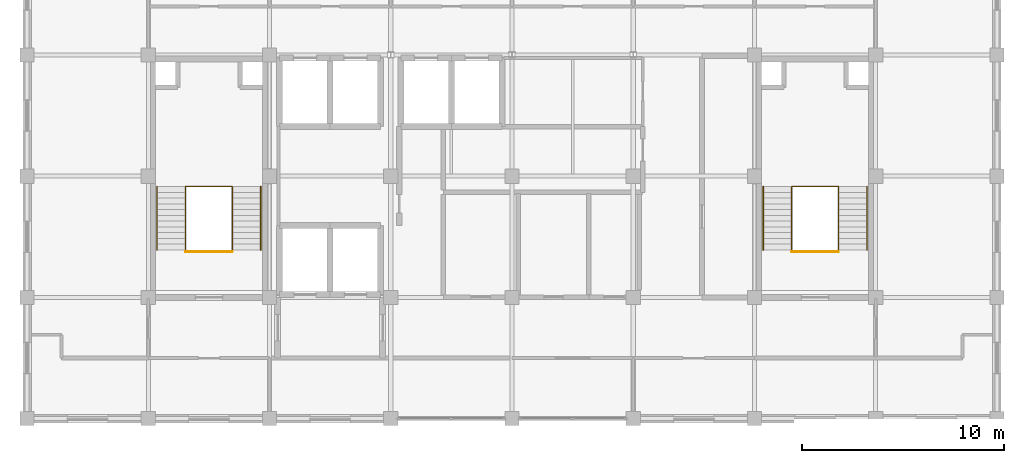
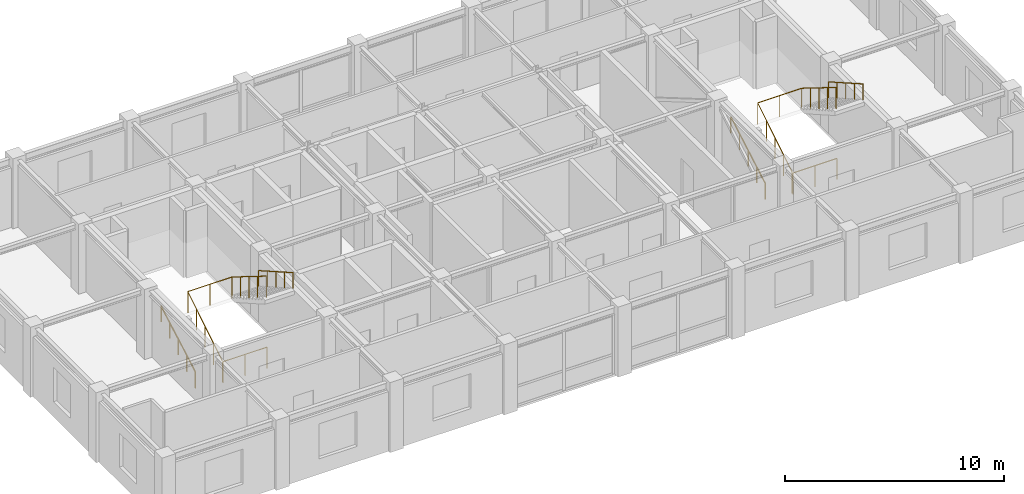
# One storey, part 11 of 11: 8 railings.
"""IFC4 building model written with IfcOpenShell, lengths in metres."""

from ifc_helpers import new_model, si_unit, direction, frame, origin, origin_2d, place, context, subcontext, project, spatial, circle, extrude, material, type_object, element, save


model = new_model("IFC4")

# Units and contexts
model_context = context("Model", 3, precision=1e-05, world=origin(), true_north=direction((0.0, 1.0)))
body_context = subcontext(model_context, "Body", "Model", "MODEL_VIEW")
ifc_project = project(units=[si_unit("LENGTHUNIT", "METRE"), si_unit("AREAUNIT", "SQUARE_METRE"), si_unit("VOLUMEUNIT", "CUBIC_METRE"), si_unit("PLANEANGLEUNIT", "RADIAN"), si_unit("MASSUNIT", "GRAM", prefix="KILO")], contexts=[model_context])

# Site, building, storey
site_placement = place(None, origin())
site = spatial("IfcSite", under=ifc_project, at=site_placement, CompositionType="ELEMENT")
building_placement = place(site_placement, origin())
building = spatial("IfcBuilding", under=site, at=building_placement, Name="Zlatovratsky Civic Hall", CompositionType="ELEMENT")
storey_placement = place(building_placement, frame((0.0, 0.0, 60.0)))
storey = spatial("IfcBuildingStorey", under=building, at=storey_placement, Name="L15", CompositionType="ELEMENT", Elevation=60.0)

# Railings
ifc_material = material(Name="Brushed stainless steel AISI 304", Category="steel")
railing_type_1 = type_object("IfcRailingType", Name="Railing_Guardrail_1200", PredefinedType="GUARDRAIL", material=ifc_material)
railing_1_placement = place(storey_placement, frame((67.840087890625, 86.35009765625, 0.0)))
element("IfcRailing", 1, at=railing_1_placement, inside=storey, type_object=railing_type_1, Name="RL-0560", PredefinedType="GUARDRAIL", context=body_context, shape_type="SweptSolid", body=[
    extrude(circle(Radius=0.02392578125, at=origin_2d()), frame((0.0, 0.0, 1.17578125), z_axis=(0.0, 0.849144259976, 0.528160984692), x_axis=(-1.0, 0.0, 0.0)), (0.0, 0.0, 1.0), 3.69189453125),
    extrude(circle(Radius=0.02392578125, at=origin_2d()), frame((0.0, 3.135009765625, 3.1259765625), z_axis=(1.0, 0.0, 0.0), x_axis=(0.0, 1.0, 0.0)), (0.0, 0.0, 1.0), 2.31982421875),
    extrude(circle(Radius=0.02392578125, at=origin_2d()), frame((2.31982421875, 3.135009765625, 3.1259765625), z_axis=(0.0, -0.849144259976, 0.528160984692), x_axis=(1.0, 0.0, 0.0)), (0.0, 0.0, 1.0), 3.69189453125),
    extrude(circle(Radius=0.02099609375, at=origin_2d()), origin(), (0.0, 0.0, 1.0), 1.15185546875),
    extrude(circle(Radius=0.02099609375, at=origin_2d()), frame((0.0, 0.78369140625, 0.487548828125)), (0.0, 0.0, 1.0), 1.15185546875),
    extrude(circle(Radius=0.02099609375, at=origin_2d()), frame((0.0, 1.5673828125, 0.97509765625)), (0.0, 0.0, 1.0), 1.15185546875),
    extrude(circle(Radius=0.02099609375, at=origin_2d()), frame((0.0, 2.351318359375, 1.46240234375)), (0.0, 0.0, 1.0), 1.15185546875),
    extrude(circle(Radius=0.02099609375, at=origin_2d()), frame((0.0, 3.135009765625, 1.949951171875)), (0.0, 0.0, 1.0), 1.15185546875),
    extrude(circle(Radius=0.02099609375, at=origin_2d()), frame((1.159912109375, 3.135009765625, 1.949951171875)), (0.0, 0.0, 1.0), 1.15185546875),
    extrude(circle(Radius=0.02099609375, at=origin_2d()), frame((2.31982421875, 3.135009765625, 1.949951171875)), (0.0, 0.0, 1.0), 1.15185546875),
    extrude(circle(Radius=0.02099609375, at=origin_2d()), frame((2.31982421875, 2.351318359375, 2.4375)), (0.0, 0.0, 1.0), 1.15185546875),
    extrude(circle(Radius=0.02099609375, at=origin_2d()), frame((2.31982421875, 1.5673828125, 2.9248046875)), (0.0, 0.0, 1.0), 1.15185546875),
    extrude(circle(Radius=0.02099609375, at=origin_2d()), frame((2.31982421875, 0.78369140625, 3.412353515625)), (0.0, 0.0, 1.0), 1.15185546875),
    extrude(circle(Radius=0.02099609375, at=origin_2d()), frame((2.31982421875, 0.0, 3.89990234375)), (0.0, 0.0, 1.0), 1.15185546875),
])
railing_2_placement = place(storey_placement, frame((67.840087890625, 86.27001953125, 0.0)))
element("IfcRailing", 2, at=railing_2_placement, inside=storey, type_object=railing_type_1, Name="RL-0563", PredefinedType="GUARDRAIL", context=body_context, shape_type="SweptSolid", body=[
    extrude(circle(Radius=0.02392578125, at=origin_2d()), frame((0.0, 0.0, 1.17578125), z_axis=(1.0, 0.0, 0.0), x_axis=(0.0, 1.0, 0.0)), (0.0, 0.0, 1.0), 2.31982421875),
    extrude(circle(Radius=0.02099609375, at=origin_2d()), origin(), (0.0, 0.0, 1.0), 1.15185546875),
    extrude(circle(Radius=0.02099609375, at=origin_2d()), frame((1.159912109375, 0.0, 0.0)), (0.0, 0.0, 1.0), 1.15185546875),
    extrude(circle(Radius=0.02099609375, at=origin_2d()), frame((2.31982421875, 0.0, 0.0)), (0.0, 0.0, 1.0), 1.15185546875),
])
railing_3_placement = place(storey_placement, frame((97.840087890625, 86.35009765625, 0.0)))
element("IfcRailing", 3, at=railing_3_placement, inside=storey, type_object=railing_type_1, Name="RL-0636", PredefinedType="GUARDRAIL", context=body_context, shape_type="SweptSolid", body=[
    extrude(circle(Radius=0.02392578125, at=origin_2d()), frame((0.0, 0.0, 1.17578125), z_axis=(0.0, 0.849144259976, 0.528160984692), x_axis=(-1.0, 0.0, 0.0)), (0.0, 0.0, 1.0), 3.69189453125),
    extrude(circle(Radius=0.02392578125, at=origin_2d()), frame((0.0, 3.135009765625, 3.1259765625), z_axis=(1.0, 0.0, 0.0), x_axis=(0.0, 1.0, 0.0)), (0.0, 0.0, 1.0), 2.31982421875),
    extrude(circle(Radius=0.02392578125, at=origin_2d()), frame((2.31982421875, 3.135009765625, 3.1259765625), z_axis=(0.0, -0.849144259976, 0.528160984692), x_axis=(1.0, 0.0, 0.0)), (0.0, 0.0, 1.0), 3.69189453125),
    extrude(circle(Radius=0.02099609375, at=origin_2d()), origin(), (0.0, 0.0, 1.0), 1.15185546875),
    extrude(circle(Radius=0.02099609375, at=origin_2d()), frame((0.0, 0.78369140625, 0.487548828125)), (0.0, 0.0, 1.0), 1.15185546875),
    extrude(circle(Radius=0.02099609375, at=origin_2d()), frame((0.0, 1.5673828125, 0.97509765625)), (0.0, 0.0, 1.0), 1.15185546875),
    extrude(circle(Radius=0.02099609375, at=origin_2d()), frame((0.0, 2.351318359375, 1.46240234375)), (0.0, 0.0, 1.0), 1.15185546875),
    extrude(circle(Radius=0.02099609375, at=origin_2d()), frame((0.0, 3.135009765625, 1.949951171875)), (0.0, 0.0, 1.0), 1.15185546875),
    extrude(circle(Radius=0.02099609375, at=origin_2d()), frame((1.159912109375, 3.135009765625, 1.949951171875)), (0.0, 0.0, 1.0), 1.15185546875),
    extrude(circle(Radius=0.02099609375, at=origin_2d()), frame((2.31982421875, 3.135009765625, 1.949951171875)), (0.0, 0.0, 1.0), 1.15185546875),
    extrude(circle(Radius=0.02099609375, at=origin_2d()), frame((2.31982421875, 2.351318359375, 2.4375)), (0.0, 0.0, 1.0), 1.15185546875),
    extrude(circle(Radius=0.02099609375, at=origin_2d()), frame((2.31982421875, 1.5673828125, 2.9248046875)), (0.0, 0.0, 1.0), 1.15185546875),
    extrude(circle(Radius=0.02099609375, at=origin_2d()), frame((2.31982421875, 0.78369140625, 3.412353515625)), (0.0, 0.0, 1.0), 1.15185546875),
    extrude(circle(Radius=0.02099609375, at=origin_2d()), frame((2.31982421875, 0.0, 3.89990234375)), (0.0, 0.0, 1.0), 1.15185546875),
])
railing_4_placement = place(storey_placement, frame((97.840087890625, 86.27001953125, 0.0)))
element("IfcRailing", 4, at=railing_4_placement, inside=storey, type_object=railing_type_1, Name="RL-0639", PredefinedType="GUARDRAIL", context=body_context, shape_type="SweptSolid", body=[
    extrude(circle(Radius=0.02392578125, at=origin_2d()), frame((0.0, 0.0, 1.17578125), z_axis=(1.0, 0.0, 0.0), x_axis=(0.0, 1.0, 0.0)), (0.0, 0.0, 1.0), 2.31982421875),
    extrude(circle(Radius=0.02099609375, at=origin_2d()), origin(), (0.0, 0.0, 1.0), 1.15185546875),
    extrude(circle(Radius=0.02099609375, at=origin_2d()), frame((1.159912109375, 0.0, 0.0)), (0.0, 0.0, 1.0), 1.15185546875),
    extrude(circle(Radius=0.02099609375, at=origin_2d()), frame((2.31982421875, 0.0, 0.0)), (0.0, 0.0, 1.0), 1.15185546875),
])
railing_type_2 = type_object("IfcRailingType", Name="Railing_Handrail_900", PredefinedType="HANDRAIL", material=ifc_material)
railing_5_placement = place(storey_placement, frame((66.429931640625, 86.35009765625, 0.1630859375)))
element("IfcRailing", 5, at=railing_5_placement, inside=storey, type_object=railing_type_2, Name="RL-0561", PredefinedType="HANDRAIL", context=body_context, shape_type="SweptSolid", body=[
    extrude(circle(Radius=0.02392578125, at=origin_2d()), frame((0.0, 0.0, 0.8759765625), z_axis=(0.0, 0.868788039808, 0.495184149471), x_axis=(-1.0, 0.0, 0.0)), (0.0, 0.0, 1.0), 3.6083984375),
    extrude(circle(Radius=0.02099609375, at=origin_2d()), origin(), (0.0, 0.0, 1.0), 0.851806640625),
    extrude(circle(Radius=0.02099609375, at=origin_2d()), frame((0.0, 0.78369140625, 0.44677734375)), (0.0, 0.0, 1.0), 0.851806640625),
    extrude(circle(Radius=0.02099609375, at=origin_2d()), frame((0.0, 1.5673828125, 0.8935546875)), (0.0, 0.0, 1.0), 0.851806640625),
    extrude(circle(Radius=0.02099609375, at=origin_2d()), frame((0.0, 2.351318359375, 1.340087890625)), (0.0, 0.0, 1.0), 0.851806640625),
    extrude(circle(Radius=0.02099609375, at=origin_2d()), frame((0.0, 3.135009765625, 1.786865234375)), (0.0, 0.0, 1.0), 0.851806640625),
])
railing_6_placement = place(storey_placement, frame((71.570068359375, 89.485107421875, 2.113037109375)))
element("IfcRailing", 6, at=railing_6_placement, inside=storey, type_object=railing_type_2, Name="RL-0562", PredefinedType="HANDRAIL", context=body_context, shape_type="SweptSolid", body=[
    extrude(circle(Radius=0.02392578125, at=origin_2d()), frame((0.0, 0.0, 0.8759765625), z_axis=(0.0, -0.868788039808, 0.495184149471), x_axis=(1.0, 0.0, 0.0)), (0.0, 0.0, 1.0), 3.6083984375),
    extrude(circle(Radius=0.02099609375, at=origin_2d()), origin(), (0.0, 0.0, 1.0), 0.851806640625),
    extrude(circle(Radius=0.02099609375, at=origin_2d()), frame((0.0, -0.78369140625, 0.44677734375)), (0.0, 0.0, 1.0), 0.851806640625),
    extrude(circle(Radius=0.02099609375, at=origin_2d()), frame((0.0, -1.5673828125, 0.8935546875)), (0.0, 0.0, 1.0), 0.851806640625),
    extrude(circle(Radius=0.02099609375, at=origin_2d()), frame((0.0, -2.351318359375, 1.340087890625)), (0.0, 0.0, 1.0), 0.851806640625),
    extrude(circle(Radius=0.02099609375, at=origin_2d()), frame((0.0, -3.135009765625, 1.786865234375)), (0.0, 0.0, 1.0), 0.851806640625),
])
railing_7_placement = place(storey_placement, frame((96.429931640625, 86.35009765625, 0.1630859375)))
element("IfcRailing", 7, at=railing_7_placement, inside=storey, type_object=railing_type_2, Name="RL-0637", PredefinedType="HANDRAIL", context=body_context, shape_type="SweptSolid", body=[
    extrude(circle(Radius=0.02392578125, at=origin_2d()), frame((0.0, 0.0, 0.8759765625), z_axis=(0.0, 0.868788039808, 0.495184149471), x_axis=(-1.0, 0.0, 0.0)), (0.0, 0.0, 1.0), 3.6083984375),
    extrude(circle(Radius=0.02099609375, at=origin_2d()), origin(), (0.0, 0.0, 1.0), 0.851806640625),
    extrude(circle(Radius=0.02099609375, at=origin_2d()), frame((0.0, 0.78369140625, 0.44677734375)), (0.0, 0.0, 1.0), 0.851806640625),
    extrude(circle(Radius=0.02099609375, at=origin_2d()), frame((0.0, 1.5673828125, 0.8935546875)), (0.0, 0.0, 1.0), 0.851806640625),
    extrude(circle(Radius=0.02099609375, at=origin_2d()), frame((0.0, 2.351318359375, 1.340087890625)), (0.0, 0.0, 1.0), 0.851806640625),
    extrude(circle(Radius=0.02099609375, at=origin_2d()), frame((0.0, 3.135009765625, 1.786865234375)), (0.0, 0.0, 1.0), 0.851806640625),
])
railing_8_placement = place(storey_placement, frame((101.570068359375, 89.485107421875, 2.113037109375)))
element("IfcRailing", 8, at=railing_8_placement, inside=storey, type_object=railing_type_2, Name="RL-0638", PredefinedType="HANDRAIL", context=body_context, shape_type="SweptSolid", body=[
    extrude(circle(Radius=0.02392578125, at=origin_2d()), frame((0.0, 0.0, 0.8759765625), z_axis=(0.0, -0.868788039808, 0.495184149471), x_axis=(1.0, 0.0, 0.0)), (0.0, 0.0, 1.0), 3.6083984375),
    extrude(circle(Radius=0.02099609375, at=origin_2d()), origin(), (0.0, 0.0, 1.0), 0.851806640625),
    extrude(circle(Radius=0.02099609375, at=origin_2d()), frame((0.0, -0.78369140625, 0.44677734375)), (0.0, 0.0, 1.0), 0.851806640625),
    extrude(circle(Radius=0.02099609375, at=origin_2d()), frame((0.0, -1.5673828125, 0.8935546875)), (0.0, 0.0, 1.0), 0.851806640625),
    extrude(circle(Radius=0.02099609375, at=origin_2d()), frame((0.0, -2.351318359375, 1.340087890625)), (0.0, 0.0, 1.0), 0.851806640625),
    extrude(circle(Radius=0.02099609375, at=origin_2d()), frame((0.0, -3.135009765625, 1.786865234375)), (0.0, 0.0, 1.0), 0.851806640625),
])

save(model, "model.ifc")
